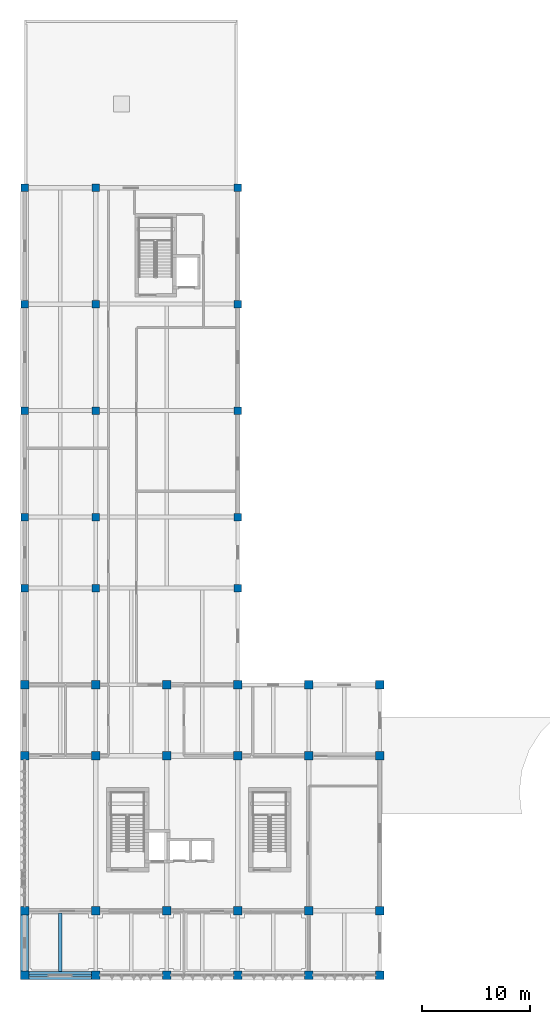
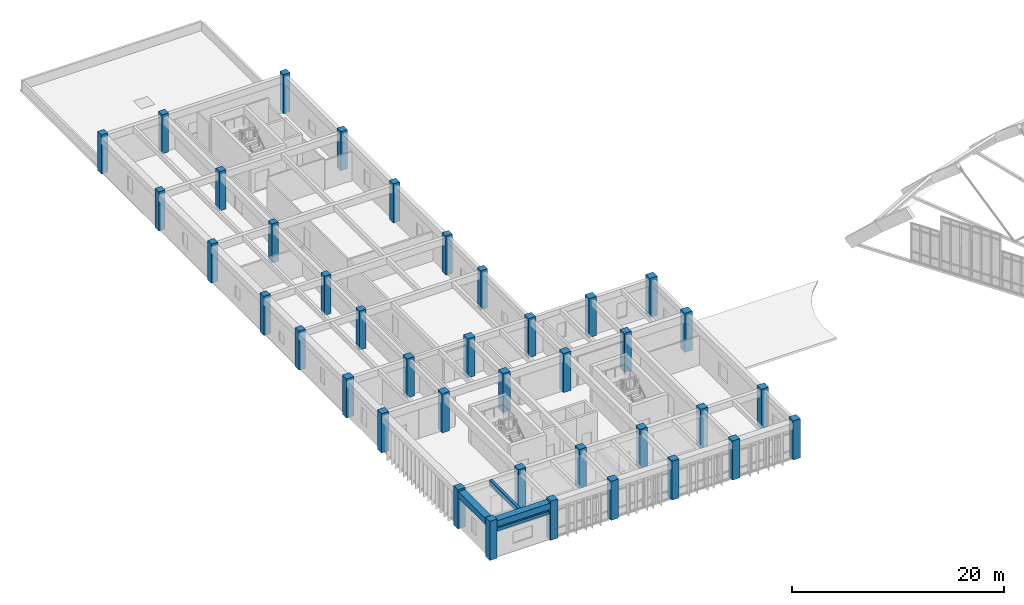
# One storey, part 1 of 34: 39 columns, 4 beams.
"""IFC4 building model written with IfcOpenShell, lengths in metres."""

from ifc_helpers import new_model, si_unit, direction, frame, origin, origin_2d, place, context, subcontext, project, spatial, rectangle, extrude, material, material_profile, profile_set, type_object, element, save


model = new_model("IFC4")

# Units and contexts
model_context = context("Model", 3, precision=1e-05, world=origin(), true_north=direction((0.0, 1.0)))
body_context = subcontext(model_context, "Body", "Model", "MODEL_VIEW")
ifc_project = project(units=[si_unit("LENGTHUNIT", "METRE"), si_unit("AREAUNIT", "SQUARE_METRE"), si_unit("VOLUMEUNIT", "CUBIC_METRE"), si_unit("PLANEANGLEUNIT", "RADIAN"), si_unit("MASSUNIT", "GRAM", prefix="KILO")], contexts=[model_context])

# Site, building, storey
site_placement = place(None, origin())
site = spatial("IfcSite", under=ifc_project, at=site_placement, CompositionType="ELEMENT")
building_placement = place(site_placement, origin())
building = spatial("IfcBuilding", under=site, at=building_placement, Name="Miralva Faculty of Natural Sciences", CompositionType="ELEMENT")
storey_placement = place(building_placement, frame((0.0, 0.0, 24.0)))
storey = spatial("IfcBuildingStorey", under=building, at=storey_placement, Name="L05", CompositionType="ELEMENT", Elevation=24.0)

# Columns
ifc_material_1 = material(Name="Concrete C40/50", Category="concrete")
ifc_material_profile_1 = material_profile(ifc_material_1, rectangle(XDim=0.800048828125, YDim=0.800048828125, at=origin_2d()), Name="RC 800x800")
ifc_profile_set_1 = profile_set([ifc_material_profile_1], Name="Concrete C40/50")
column_type_1 = type_object("IfcColumnType", Name="COL-C05", PredefinedType="COLUMN", material=ifc_profile_set_1)
for number, where, z_axis, x_axis, name in (
    (1, (3.0, 3.0, 0.0), (0.0, 0.0, 1.0), (1.0, 0.0, 0.0), "Column CS-V5-1A L05"),
    (2, (3.0, 9.0, 0.0), (0.0, 0.0, 1.0), (1.0, 0.0, 0.0), "Column CS-V5-1B L05"),
    (3, (3.0, 23.39990234375, 0.0), (0.0, 0.0, 1.0), (1.0, 0.0, 0.0), "Column CS-V5-1C L05"),
    (4, (3.0, 30.0, 0.0), (0.0, 0.0, 1.0), (1.0, 0.0, 0.0), "Column CS-V5-1D L05"),
    (5, (9.60009765625, 3.0, 0.0), (0.0, 0.0, 1.0), (1.0, 0.0, 0.0), "Column CS-V5-2A L05"),
    (6, (9.60009765625, 9.0, 0.0), (0.0, 0.0, 1.0), (1.0, 0.0, 0.0), "Column CS-V5-2B L05"),
    (7, (9.60009765625, 23.39990234375, 0.0), (0.0, 0.0, 1.0), (1.0, 0.0, 0.0), "Column CS-V5-2C L05"),
    (8, (9.60009765625, 30.0, 0.0), (0.0, 0.0, 1.0), (1.0, 0.0, 0.0), "Column CS-V5-2D L05"),
    (9, (16.199951171875, 3.0, 0.0), (0.0, 0.0, 1.0), (1.0, 0.0, 0.0), "Column CS-V5-3A L05"),
    (10, (16.199951171875, 9.0, 0.0), (0.0, 0.0, 1.0), (1.0, 0.0, 0.0), "Column CS-V5-3B L05"),
    (11, (16.199951171875, 23.39990234375, 0.0), (0.0, 0.0, 1.0), (1.0, 0.0, 0.0), "Column CS-V5-3C L05"),
    (12, (16.199951171875, 30.0, 0.0), (0.0, 0.0, 1.0), (1.0, 0.0, 0.0), "Column CS-V5-3D L05"),
    (13, (22.800048828125, 3.0, 0.0), (0.0, 0.0, 1.0), (1.0, 0.0, 0.0), "Column CS-V5-4A L05"),
    (14, (22.800048828125, 9.0, 0.0), (0.0, 0.0, 1.0), (1.0, 0.0, 0.0), "Column CS-V5-4B L05"),
    (15, (22.800048828125, 23.39990234375, 0.0), (0.0, 0.0, 1.0), (1.0, 0.0, 0.0), "Column CS-V5-4C L05"),
    (16, (22.800048828125, 30.0, 0.0), (0.0, 0.0, 1.0), (1.0, 0.0, 0.0), "Column CS-V5-4D L05"),
    (17, (29.39990234375, 3.0, 0.0), (0.0, 0.0, 1.0), (1.0, 0.0, 0.0), "Column CS-V5-5A L05"),
    (18, (29.39990234375, 9.0, 0.0), (0.0, 0.0, 1.0), (1.0, 0.0, 0.0), "Column CS-V5-5B L05"),
    (19, (29.39990234375, 23.39990234375, 0.0), (0.0, 0.0, 1.0), (1.0, 0.0, 0.0), "Column CS-V5-5C L05"),
    (20, (29.39990234375, 30.0, 0.0), (0.0, 0.0, 1.0), (1.0, 0.0, 0.0), "Column CS-V5-5D L05"),
    (21, (36.0, 3.0, 0.0), (0.0, 0.0, 1.0), (1.0, 0.0, 0.0), "Column CS-V5-6A L05"),
    (22, (36.0, 9.0, 0.0), (0.0, 0.0, 1.0), (1.0, 0.0, 0.0), "Column CS-V5-6B L05"),
    (23, (36.0, 23.39990234375, 0.0), (0.0, 0.0, 1.0), (1.0, 0.0, 0.0), "Column CS-V5-6C L05"),
    (24, (36.0, 30.0, 0.0), (0.0, 0.0, 1.0), (1.0, 0.0, 0.0), "Column CS-V5-6D L05"),
):
    element("IfcColumn", number, at=place(storey_placement, frame(where, z_axis=z_axis, x_axis=x_axis)), inside=storey, type_object=column_type_1, Name=name, PredefinedType="COLUMN", context=body_context, shape_type="SweptSolid", body=[
        extrude(rectangle(XDim=0.800048828125, YDim=0.800048828125, at=origin_2d()), origin(), (0.0, 0.0, 1.0), 4.5),
    ])
ifc_material_profile_2 = material_profile(ifc_material_1, rectangle(XDim=0.699951171875, YDim=0.699951171875, at=origin_2d()), Name="RC 700x700")
ifc_profile_set_2 = profile_set([ifc_material_profile_2], Name="Concrete C40/50")
column_type_2 = type_object("IfcColumnType", Name="COL-C07", PredefinedType="COLUMN", material=ifc_profile_set_2)
for number, where, z_axis, x_axis, name in (
    (25, (3.0, 39.0, 0.0), (0.0, 0.0, 1.0), (1.0, 0.0, 0.0), "Column CS-V4W-1E L05"),
    (26, (3.0, 45.60009765625, 0.0), (0.0, 0.0, 1.0), (1.0, 0.0, 0.0), "Column CS-V4W-1F L05"),
    (27, (3.0, 55.5, 0.0), (0.0, 0.0, 1.0), (1.0, 0.0, 0.0), "Column CS-V4W-1G L05"),
    (28, (3.0, 65.39990234375, 0.0), (0.0, 0.0, 1.0), (1.0, 0.0, 0.0), "Column CS-V4W-1H L05"),
    (29, (3.0, 76.199951171875, 0.0), (0.0, 0.0, 1.0), (1.0, 0.0, 0.0), "Column CS-V4W-1I L05"),
    (30, (9.60009765625, 39.0, 0.0), (0.0, 0.0, 1.0), (1.0, 0.0, 0.0), "Column CS-V4W-2E L05"),
    (31, (9.60009765625, 45.60009765625, 0.0), (0.0, 0.0, 1.0), (1.0, 0.0, 0.0), "Column CS-V4W-2F L05"),
    (32, (9.60009765625, 55.5, 0.0), (0.0, 0.0, 1.0), (1.0, 0.0, 0.0), "Column CS-V4W-2G L05"),
    (33, (9.60009765625, 65.39990234375, 0.0), (0.0, 0.0, 1.0), (1.0, 0.0, 0.0), "Column CS-V4W-2H L05"),
    (34, (9.60009765625, 76.199951171875, 0.0), (0.0, 0.0, 1.0), (1.0, 0.0, 0.0), "Column CS-V4W-2I L05"),
    (35, (22.800048828125, 39.0, 0.0), (0.0, 0.0, 1.0), (1.0, 0.0, 0.0), "Column CS-V4W-4E L05"),
    (36, (22.800048828125, 45.60009765625, 0.0), (0.0, 0.0, 1.0), (1.0, 0.0, 0.0), "Column CS-V4W-4F L05"),
    (37, (22.800048828125, 55.5, 0.0), (0.0, 0.0, 1.0), (1.0, 0.0, 0.0), "Column CS-V4W-4G L05"),
    (38, (22.800048828125, 65.39990234375, 0.0), (0.0, 0.0, 1.0), (1.0, 0.0, 0.0), "Column CS-V4W-4H L05"),
    (39, (22.800048828125, 76.199951171875, 0.0), (0.0, 0.0, 1.0), (1.0, 0.0, 0.0), "Column CS-V4W-4I L05"),
):
    element("IfcColumn", number, at=place(storey_placement, frame(where, z_axis=z_axis, x_axis=x_axis)), inside=storey, type_object=column_type_2, Name=name, PredefinedType="COLUMN", context=body_context, shape_type="SweptSolid", body=[
        extrude(rectangle(XDim=0.699951171875, YDim=0.699951171875, at=origin_2d()), origin(), (0.0, 0.0, 1.0), 4.5),
    ])

# Beams
ifc_material_profile_3 = material_profile(ifc_material_1, rectangle(XDim=0.300048828125, YDim=0.60009765625, at=origin_2d()), Name="RC 300x600")
ifc_profile_set_3 = profile_set([ifc_material_profile_3], Name="Concrete C40/50")
beam_type_1 = type_object("IfcBeamType", Name="BM-J01", PredefinedType="JOIST", material=ifc_profile_set_3)
beam_1_placement = place(storey_placement, frame((6.300048828125, 3.375, 3.97998046875), z_axis=(0.0, 1.0, 0.0), x_axis=(-1.0, 0.0, 0.0)))
element("IfcBeam", 40, at=beam_1_placement, inside=storey, type_object=beam_type_1, Name="Floor joist L05-1", PredefinedType="JOIST", context=body_context, shape_type="SweptSolid", body=[
    extrude(rectangle(XDim=0.300048828125, YDim=0.60009765625, at=origin_2d()), origin(), (0.0, 0.0, 1.0), 5.425048828125),
])
ifc_material_2 = material(Name="Precast concrete C40/50", Category="concrete")
ifc_material_profile_4 = material_profile(ifc_material_2, rectangle(XDim=0.25, YDim=0.35009765625, at=origin_2d()), Name="RC 250x350")
ifc_profile_set_4 = profile_set([ifc_material_profile_4], Name="Precast concrete C40/50")
beam_type_2 = type_object("IfcBeamType", Name="BM-LN01", PredefinedType="LINTEL", material=ifc_profile_set_4)
beam_2_placement = place(storey_placement, frame((3.3798828125, 3.0, 3.050048828125), z_axis=(1.0, 0.0, 0.0), x_axis=(0.0, 1.0, 0.0)))
element("IfcBeam", 41, at=beam_2_placement, inside=storey, type_object=beam_type_2, Name="Precast stone window lintel S L05", PredefinedType="LINTEL", context=body_context, shape_type="SweptSolid", body=[
    extrude(rectangle(XDim=0.25, YDim=0.35009765625, at=origin_2d()), origin(), (0.0, 0.0, 1.0), 5.840087890625),
])
ifc_material_profile_5 = material_profile(ifc_material_1, rectangle(XDim=0.75, YDim=0.699951171875, at=origin_2d()), Name="RC 750x700")
ifc_profile_set_5 = profile_set([ifc_material_profile_5], Name="Concrete C40/50")
beam_type_3 = type_object("IfcBeamType", Name="BM-SP01", PredefinedType="SPANDREL", material=ifc_profile_set_5)
beam_3_placement = place(storey_placement, frame((3.39990234375, 3.0, 3.929931640625), z_axis=(1.0, 0.0, 0.0), x_axis=(0.0, 1.0, 0.0)))
element("IfcBeam", 42, at=beam_3_placement, inside=storey, type_object=beam_type_3, Name="Girder EW L05-1", PredefinedType="SPANDREL", context=body_context, shape_type="SweptSolid", body=[
    extrude(rectangle(XDim=0.75, YDim=0.699951171875, at=origin_2d()), origin(), (0.0, 0.0, 1.0), 5.800048828125),
])
beam_4_placement = place(storey_placement, frame((3.0, 3.39990234375, 3.929931640625), z_axis=(0.0, 1.0, 0.0), x_axis=(-1.0, 0.0, 0.0)))
element("IfcBeam", 43, at=beam_4_placement, inside=storey, type_object=beam_type_3, Name="Girder NS L05-31", PredefinedType="SPANDREL", context=body_context, shape_type="SweptSolid", body=[
    extrude(rectangle(XDim=0.75, YDim=0.699951171875, at=origin_2d()), origin(), (0.0, 0.0, 1.0), 5.2001953125),
])

save(model, "model.ifc")
